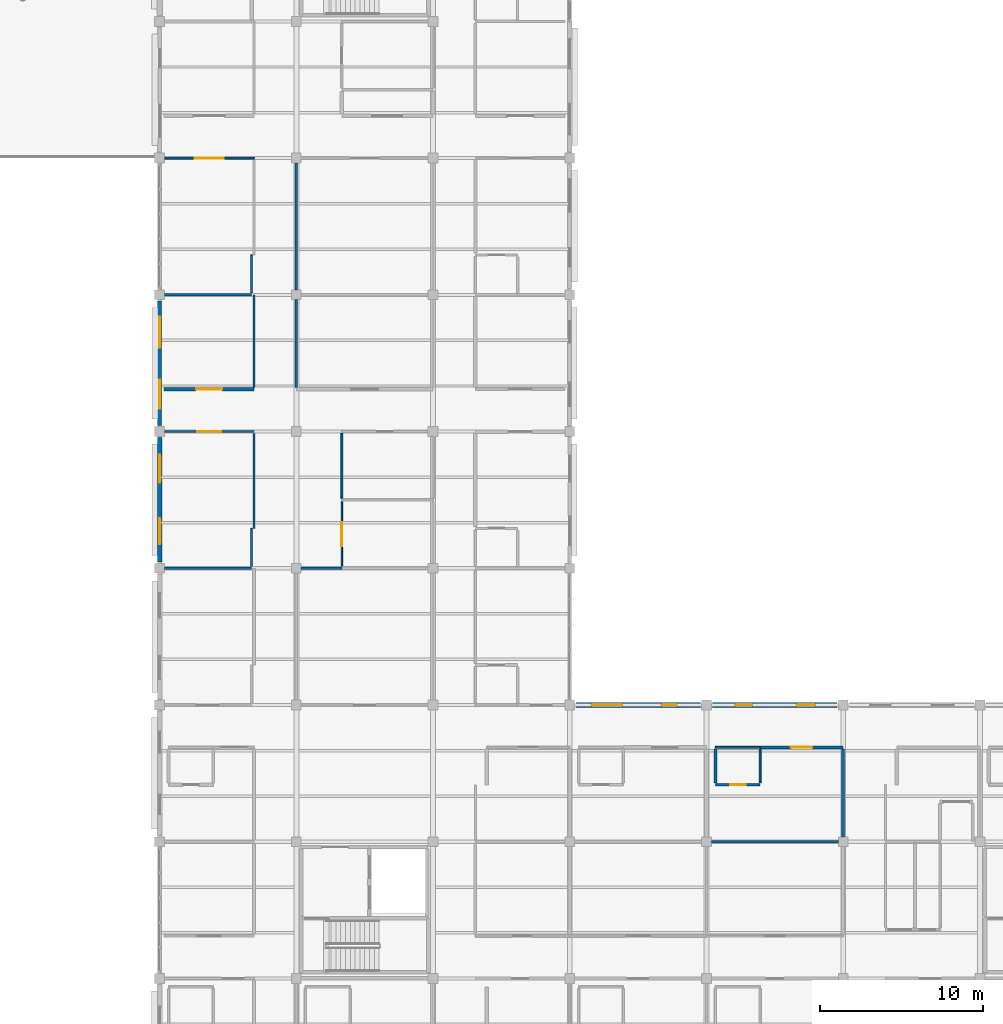
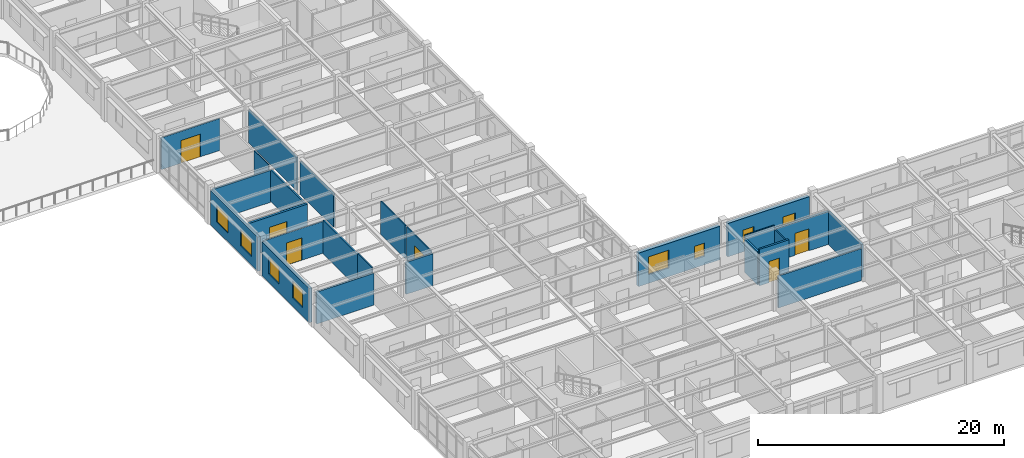
# One storey, part 53 of 86: 25 walls, 8 windows, 6 doors, 14 openings.
"""IFC4 building model written with IfcOpenShell, lengths in metres."""

from ifc_helpers import new_model, si_unit, direction, frame, frame_2d, origin, place, context, subcontext, project, spatial, rectangle, extrude, material, layer, layer_set, type_object, element, fill, save


model = new_model("IFC4")

# Units and contexts
model_context = context("Model", 3, precision=1e-05, world=origin(), true_north=direction((0.0, 1.0)))
body_context = subcontext(model_context, "Body", "Model", "MODEL_VIEW")
ifc_project = project(units=[si_unit("LENGTHUNIT", "METRE"), si_unit("AREAUNIT", "SQUARE_METRE"), si_unit("VOLUMEUNIT", "CUBIC_METRE"), si_unit("PLANEANGLEUNIT", "RADIAN"), si_unit("MASSUNIT", "GRAM", prefix="KILO")], contexts=[model_context])

# Site, building, storey
site_placement = place(None, origin())
site = spatial("IfcSite", under=ifc_project, at=site_placement, CompositionType="ELEMENT")
building_placement = place(site_placement, origin())
building = spatial("IfcBuilding", under=site, at=building_placement, Name="Bramfleet General Hospital", CompositionType="ELEMENT")
storey_placement = place(building_placement, frame((0.0, 0.0, 18.60009765625)))
storey = spatial("IfcBuildingStorey", under=building, at=storey_placement, Name="L04", CompositionType="ELEMENT", Elevation=18.60009765625)

# Wall, openings, windows
ifc_material_1 = material(Name="Precast concrete C40/50", Category="concrete")
ifc_layer_1 = layer(ifc_material_1, 0.3349609375, Name="WT-EW-03")
ifc_layer_set_1 = layer_set([ifc_layer_1], Name="Precast concrete C40/50")
wall_type_1 = type_object("IfcWallType", Name="WT-EW-03", PredefinedType="SOLIDWALL", material=ifc_layer_set_1)
wall_1_placement = place(storey_placement, frame((117.97509765625, 25.199951171875, 0.0), z_axis=(0.0, 0.0, 1.0), x_axis=(1.0, 0.0, 0.0)))
wall_1 = element("IfcWall", 1, at=wall_1_placement, inside=storey, type_object=wall_type_1, Name="L04 Exterior Wall 309", PredefinedType="SOLIDWALL", context=body_context, shape_type="SweptSolid", body=[
    extrude(rectangle(XDim=7.64990234375, YDim=0.3349609375, at=frame_2d((3.824951171875, 0.0))), origin(), (0.0, 0.0, 1.0), 3.309814453125),
])
opening_1_placement = place(wall_1_placement, frame((0.96240234375, 0.0, 0.85009765625)))
opening_1 = element("IfcOpeningElement", 2, at=opening_1_placement, cuts=wall_1, Name="Opening W-46", PredefinedType="OPENING", context=body_context, shape_type="SweptSolid", body=[
    extrude(rectangle(XDim=1.89990234375, YDim=1.780029296875, at=frame_2d((0.949951171875, 0.89013671875))), frame((0.0, 0.177490234375, 0.0), z_axis=(0.0, -1.0, 0.0), x_axis=(1.0, 0.0, 0.0)), (0.0, 0.0, 1.0), 0.35498046875),
])
opening_2_placement = place(wall_1_placement, frame((5.262451171875, 0.0, 0.85009765625)))
opening_2 = element("IfcOpeningElement", 3, at=opening_2_placement, cuts=wall_1, Name="Opening W-01", PredefinedType="OPENING", context=body_context, shape_type="SweptSolid", body=[
    extrude(rectangle(XDim=0.949951171875, YDim=1.300048828125, at=frame_2d((0.47509765625, 0.64990234375))), frame((0.0, 0.177490234375, 0.0), z_axis=(0.0, -1.0, 0.0), x_axis=(1.0, 0.0, 0.0)), (0.0, 0.0, 1.0), 0.35498046875),
])
ifc_material_2 = material(Name="Anodised aluminium and low-E triple glazing", Category="aluminium")
window_type_1 = type_object("IfcWindowType", Name="WIN-W-01", PartitioningType="SINGLE_PANEL", PredefinedType="WINDOW", material=ifc_material_2)
window_1_placement = place(opening_2_placement, origin())
window_1 = element("IfcWindow", 4, at=window_1_placement, inside=storey, type_object=window_type_1, Name="L04 Facade Window WIN-L04-309-2", OverallHeight=1.300048828125, OverallWidth=0.949951171875, PartitioningType="SINGLE_PANEL", PredefinedType="WINDOW", context=body_context, shape_type="SweptSolid", body=[
    extrude(rectangle(XDim=0.949951171875, YDim=1.300048828125, at=frame_2d((0.47509765625, 0.64990234375))), frame((0.0, 0.030029296875, 0.0), z_axis=(0.0, -1.0, 0.0), x_axis=(1.0, 0.0, 0.0)), (0.0, 0.0, 1.0), 0.06005859375),
])
fill(opening_2, window_1)
window_type_2 = type_object("IfcWindowType", Name="WIN-W-46", PartitioningType="SINGLE_PANEL", PredefinedType="WINDOW", material=ifc_material_2)
window_2_placement = place(opening_1_placement, origin())
window_2 = element("IfcWindow", 5, at=window_2_placement, inside=storey, type_object=window_type_2, Name="L04 Facade Window WIN-L04-309-1", OverallHeight=1.780029296875, OverallWidth=1.89990234375, PartitioningType="SINGLE_PANEL", PredefinedType="WINDOW", context=body_context, shape_type="SweptSolid", body=[
    extrude(rectangle(XDim=1.89990234375, YDim=1.780029296875, at=frame_2d((0.949951171875, 0.89013671875))), frame((0.0, 0.030029296875, 0.0), z_axis=(0.0, -1.0, 0.0), x_axis=(1.0, 0.0, 0.0)), (0.0, 0.0, 1.0), 0.06005859375),
])
fill(opening_1, window_2)

ifc_layer_2 = layer(ifc_material_1, 0.31494140625, Name="WT-EW-04")
ifc_layer_set_2 = layer_set([ifc_layer_2], Name="Precast concrete C40/50")
wall_type_2 = type_object("IfcWallType", Name="WT-EW-04", PredefinedType="SOLIDWALL", material=ifc_layer_set_2)
wall_2_placement = place(storey_placement, frame((126.375, 25.199951171875, 0.0), z_axis=(0.0, 0.0, 1.0), x_axis=(1.0, 0.0, 0.0)))
wall_2 = element("IfcWall", 6, at=wall_2_placement, inside=storey, type_object=wall_type_2, Name="L04 Exterior Wall 310", PredefinedType="SOLIDWALL", context=body_context, shape_type="SweptSolid", body=[
    extrude(rectangle(XDim=7.64990234375, YDim=0.31494140625, at=frame_2d((3.824951171875, 0.0))), origin(), (0.0, 0.0, 1.0), 3.309814453125),
])
opening_3_placement = place(wall_2_placement, frame((1.387451171875, 0.0, 0.85009765625)))
opening_3 = element("IfcOpeningElement", 7, at=opening_3_placement, cuts=wall_2, Name="Opening W-02", PredefinedType="OPENING", context=body_context, shape_type="SweptSolid", body=[
    extrude(rectangle(XDim=1.050048828125, YDim=1.300048828125, at=frame_2d((0.52490234375, 0.64990234375))), frame((0.0, 0.16748046875, 0.0), z_axis=(0.0, -1.0, 0.0), x_axis=(1.0, 0.0, 0.0)), (0.0, 0.0, 1.0), 0.3349609375),
])
opening_4_placement = place(wall_2_placement, frame((5.16259765625, 0.0, 0.85009765625)))
opening_4 = element("IfcOpeningElement", 8, at=opening_4_placement, cuts=wall_2, Name="Opening W-03", PredefinedType="OPENING", context=body_context, shape_type="SweptSolid", body=[
    extrude(rectangle(XDim=1.14990234375, YDim=1.300048828125, at=frame_2d((0.574951171875, 0.64990234375))), frame((0.0, 0.16748046875, 0.0), z_axis=(0.0, -1.0, 0.0), x_axis=(1.0, 0.0, 0.0)), (0.0, 0.0, 1.0), 0.3349609375),
])
window_type_3 = type_object("IfcWindowType", Name="WIN-W-02", PartitioningType="SINGLE_PANEL", PredefinedType="WINDOW", material=ifc_material_2)
window_3_placement = place(opening_3_placement, origin())
window_3 = element("IfcWindow", 9, at=window_3_placement, inside=storey, type_object=window_type_3, Name="L04 Facade Window WIN-L04-310-1", OverallHeight=1.300048828125, OverallWidth=1.050048828125, PartitioningType="SINGLE_PANEL", PredefinedType="WINDOW", context=body_context, shape_type="SweptSolid", body=[
    extrude(rectangle(XDim=1.050048828125, YDim=1.300048828125, at=frame_2d((0.52490234375, 0.64990234375))), frame((0.0, 0.030029296875, 0.0), z_axis=(0.0, -1.0, 0.0), x_axis=(1.0, 0.0, 0.0)), (0.0, 0.0, 1.0), 0.06005859375),
])
fill(opening_3, window_3)
window_type_4 = type_object("IfcWindowType", Name="WIN-W-03", PartitioningType="SINGLE_PANEL", PredefinedType="WINDOW", material=ifc_material_2)
window_4_placement = place(opening_4_placement, origin())
window_4 = element("IfcWindow", 10, at=window_4_placement, inside=storey, type_object=window_type_4, Name="L04 Facade Window WIN-L04-310-2", OverallHeight=1.300048828125, OverallWidth=1.14990234375, PartitioningType="SINGLE_PANEL", PredefinedType="WINDOW", context=body_context, shape_type="SweptSolid", body=[
    extrude(rectangle(XDim=1.14990234375, YDim=1.300048828125, at=frame_2d((0.574951171875, 0.64990234375))), frame((0.0, 0.030029296875, 0.0), z_axis=(0.0, -1.0, 0.0), x_axis=(1.0, 0.0, 0.0)), (0.0, 0.0, 1.0), 0.06005859375),
])
fill(opening_4, window_4)

ifc_layer_3 = layer(ifc_material_1, 0.264892578125, Name="WT-EW-07")
ifc_layer_set_3 = layer_set([ifc_layer_3], Name="Precast concrete C40/50")
wall_type_3 = type_object("IfcWallType", Name="WT-EW-07", PredefinedType="SOLIDWALL", material=ifc_layer_set_3)
wall_3_placement = place(storey_placement, frame((92.39990234375, 33.97509765625, 0.0), z_axis=(0.0, 0.0, 1.0), x_axis=(0.0, 1.0, 0.0)))
wall_3 = element("IfcWall", 11, at=wall_3_placement, inside=storey, type_object=wall_type_3, Name="L04 Exterior Wall 327", PredefinedType="SOLIDWALL", context=body_context, shape_type="SweptSolid", body=[
    extrude(rectangle(XDim=7.64990234375, YDim=0.264892578125, at=frame_2d((3.824951171875, 0.0))), origin(), (0.0, 0.0, 1.0), 3.3798828125),
])
opening_5_placement = place(wall_3_placement, frame((1.112548828125, 0.0, 0.85009765625)))
opening_5 = element("IfcOpeningElement", 12, at=opening_5_placement, cuts=wall_3, Name="Opening W-36", PredefinedType="OPENING", context=body_context, shape_type="SweptSolid", body=[
    extrude(rectangle(XDim=1.60009765625, YDim=1.659912109375, at=frame_2d((0.800048828125, 0.830078125))), frame((0.0, 0.142333984375, 0.0), z_axis=(0.0, -1.0, 0.0), x_axis=(1.0, 0.0, 0.0)), (0.0, 0.0, 1.0), 0.284912109375),
])
opening_6_placement = place(wall_3_placement, frame((4.887451171875, 0.0, 0.85009765625)))
opening_6 = element("IfcOpeningElement", 13, at=opening_6_placement, cuts=wall_3, Name="Opening W-37", PredefinedType="OPENING", context=body_context, shape_type="SweptSolid", body=[
    extrude(rectangle(XDim=1.699951171875, YDim=1.659912109375, at=frame_2d((0.85009765625, 0.830078125))), frame((0.0, 0.142333984375, 0.0), z_axis=(0.0, -1.0, 0.0), x_axis=(1.0, 0.0, 0.0)), (0.0, 0.0, 1.0), 0.284912109375),
])
window_type_5 = type_object("IfcWindowType", Name="WIN-W-36", PartitioningType="SINGLE_PANEL", PredefinedType="WINDOW", material=ifc_material_2)
window_5_placement = place(opening_5_placement, origin())
window_5 = element("IfcWindow", 14, at=window_5_placement, inside=storey, type_object=window_type_5, Name="L04 Facade Window WIN-L04-327-1", OverallHeight=1.659912109375, OverallWidth=1.60009765625, PartitioningType="SINGLE_PANEL", PredefinedType="WINDOW", context=body_context, shape_type="SweptSolid", body=[
    extrude(rectangle(XDim=1.60009765625, YDim=1.659912109375, at=frame_2d((0.800048828125, 0.830078125))), frame((0.0, 0.030029296875, 0.0), z_axis=(0.0, -1.0, 0.0), x_axis=(1.0, 0.0, 0.0)), (0.0, 0.0, 1.0), 0.06005859375),
])
fill(opening_5, window_5)
window_type_6 = type_object("IfcWindowType", Name="WIN-W-37", PartitioningType="SINGLE_PANEL", PredefinedType="WINDOW", material=ifc_material_2)
window_6_placement = place(opening_6_placement, origin())
window_6 = element("IfcWindow", 15, at=window_6_placement, inside=storey, type_object=window_type_6, Name="L04 Facade Window WIN-L04-327-2", OverallHeight=1.659912109375, OverallWidth=1.699951171875, PartitioningType="SINGLE_PANEL", PredefinedType="WINDOW", context=body_context, shape_type="SweptSolid", body=[
    extrude(rectangle(XDim=1.699951171875, YDim=1.659912109375, at=frame_2d((0.85009765625, 0.830078125))), frame((0.0, 0.030029296875, 0.0), z_axis=(0.0, -1.0, 0.0), x_axis=(1.0, 0.0, 0.0)), (0.0, 0.0, 1.0), 0.06005859375),
])
fill(opening_6, window_6)

ifc_layer_4 = layer(ifc_material_1, 0.25, Name="WT-EW-08")
ifc_layer_set_4 = layer_set([ifc_layer_4], Name="Precast concrete C40/50")
wall_type_4 = type_object("IfcWallType", Name="WT-EW-08", PredefinedType="SOLIDWALL", material=ifc_layer_set_4)
wall_4_placement = place(storey_placement, frame((92.39990234375, 42.375, 0.0), z_axis=(0.0, 0.0, 1.0), x_axis=(0.0, 1.0, 0.0)))
wall_4 = element("IfcWall", 16, at=wall_4_placement, inside=storey, type_object=wall_type_4, Name="L04 Exterior Wall 328", PredefinedType="SOLIDWALL", context=body_context, shape_type="SweptSolid", body=[
    extrude(rectangle(XDim=7.64990234375, YDim=0.25, at=frame_2d((3.824951171875, 0.0))), origin(), (0.0, 0.0, 1.0), 3.3798828125),
])
opening_7_placement = place(wall_4_placement, frame((1.012451171875, 0.0, 0.85009765625)))
opening_7 = element("IfcOpeningElement", 17, at=opening_7_placement, cuts=wall_4, Name="Opening W-38", PredefinedType="OPENING", context=body_context, shape_type="SweptSolid", body=[
    extrude(rectangle(XDim=1.800048828125, YDim=1.659912109375, at=frame_2d((0.89990234375, 0.830078125))), frame((0.0, 0.135009765625, 0.0), z_axis=(0.0, -1.0, 0.0), x_axis=(1.0, 0.0, 0.0)), (0.0, 0.0, 1.0), 0.27001953125),
])
opening_8_placement = place(wall_4_placement, frame((4.78759765625, 0.0, 0.85009765625)))
opening_8 = element("IfcOpeningElement", 18, at=opening_8_placement, cuts=wall_4, Name="Opening W-39", PredefinedType="OPENING", context=body_context, shape_type="SweptSolid", body=[
    extrude(rectangle(XDim=1.89990234375, YDim=1.659912109375, at=frame_2d((0.949951171875, 0.830078125))), frame((0.0, 0.135009765625, 0.0), z_axis=(0.0, -1.0, 0.0), x_axis=(1.0, 0.0, 0.0)), (0.0, 0.0, 1.0), 0.27001953125),
])
window_type_7 = type_object("IfcWindowType", Name="WIN-W-38", PartitioningType="SINGLE_PANEL", PredefinedType="WINDOW", material=ifc_material_2)
window_7_placement = place(opening_7_placement, origin())
window_7 = element("IfcWindow", 19, at=window_7_placement, inside=storey, type_object=window_type_7, Name="L04 Facade Window WIN-L04-328-1", OverallHeight=1.659912109375, OverallWidth=1.800048828125, PartitioningType="SINGLE_PANEL", PredefinedType="WINDOW", context=body_context, shape_type="SweptSolid", body=[
    extrude(rectangle(XDim=1.800048828125, YDim=1.659912109375, at=frame_2d((0.89990234375, 0.830078125))), frame((0.0, 0.030029296875, 0.0), z_axis=(0.0, -1.0, 0.0), x_axis=(1.0, 0.0, 0.0)), (0.0, 0.0, 1.0), 0.06005859375),
])
fill(opening_7, window_7)
window_type_8 = type_object("IfcWindowType", Name="WIN-W-39", PartitioningType="SINGLE_PANEL", PredefinedType="WINDOW", material=ifc_material_2)
window_8_placement = place(opening_8_placement, origin())
window_8 = element("IfcWindow", 20, at=window_8_placement, inside=storey, type_object=window_type_8, Name="L04 Facade Window WIN-L04-328-2", OverallHeight=1.659912109375, OverallWidth=1.89990234375, PartitioningType="SINGLE_PANEL", PredefinedType="WINDOW", context=body_context, shape_type="SweptSolid", body=[
    extrude(rectangle(XDim=1.89990234375, YDim=1.659912109375, at=frame_2d((0.949951171875, 0.830078125))), frame((0.0, 0.030029296875, 0.0), z_axis=(0.0, -1.0, 0.0), x_axis=(1.0, 0.0, 0.0)), (0.0, 0.0, 1.0), 0.06005859375),
])
fill(opening_8, window_8)

# Wall, opening, door
ifc_material_3 = material(Name="Concrete C35/45", Category="concrete")
ifc_layer_5 = layer(ifc_material_3, 0.205078125, Name="WT-IW-02")
ifc_layer_set_5 = layer_set([ifc_layer_5], Name="Concrete C35/45")
wall_type_5 = type_object("IfcWallType", Name="WT-IW-02", PredefinedType="PARTITIONING", material=ifc_layer_set_5)
wall_5_placement = place(storey_placement, frame((92.679931640625, 44.60009765625, 0.0), z_axis=(0.0, 0.0, 1.0), x_axis=(1.0, 0.0, 0.0)))
wall_5 = element("IfcWall", 21, at=wall_5_placement, inside=storey, type_object=wall_type_5, Name="L04 Interior Partition IW-L04-3146", PredefinedType="PARTITIONING", context=body_context, shape_type="SweptSolid", body=[
    extrude(rectangle(XDim=5.52001953125, YDim=0.205078125, at=frame_2d((2.760009765625, 0.0))), origin(), (0.0, 0.0, 1.0), 3.309814453125),
])
opening_9_placement = place(wall_5_placement, frame((1.9599609375, 0.0, 0.0)))
opening_9 = element("IfcOpeningElement", 22, at=opening_9_placement, cuts=wall_5, Name="Opening D1252", PredefinedType="OPENING", context=body_context, shape_type="SweptSolid", body=[
    extrude(rectangle(XDim=1.60009765625, YDim=2.25, at=frame_2d((0.800048828125, 1.125))), frame((0.0, 0.112548828125, 0.0), z_axis=(0.0, -1.0, 0.0), x_axis=(1.0, 0.0, 0.0)), (0.0, 0.0, 1.0), 0.22509765625),
])
ifc_material_4 = material(Name="Stainless steel and acoustic timber leaf", Category="steel")
door_type_1 = type_object("IfcDoorType", Name="DR-D-04", OperationType="NOTDEFINED", PredefinedType="DOOR", material=ifc_material_4)
door_1_placement = place(opening_9_placement, origin())
door_1 = element("IfcDoor", 23, at=door_1_placement, inside=storey, type_object=door_type_1, Name="Surgical Inpatient Ward Bedroom L04-1105 Door D1252", OperationType="DOUBLE_SWING_LEFT", OverallHeight=2.25, OverallWidth=1.60009765625, PredefinedType="DOOR", context=body_context, shape_type="SweptSolid", body=[
    extrude(rectangle(XDim=1.60009765625, YDim=2.25, at=frame_2d((0.800048828125, 1.125))), frame((0.0, 0.02490234375, 0.0), z_axis=(0.0, -1.0, 0.0), x_axis=(1.0, 0.0, 0.0)), (0.0, 0.0, 1.0), 0.050048828125),
])
fill(opening_9, door_1)

ifc_layer_6 = layer(ifc_material_3, 0.18994140625, Name="WT-IW-03")
ifc_layer_set_6 = layer_set([ifc_layer_6], Name="Concrete C35/45")
wall_type_6 = type_object("IfcWallType", Name="WT-IW-03", PredefinedType="PARTITIONING", material=ifc_layer_set_6)
wall_6_placement = place(storey_placement, frame((129.300048828125, 22.60009765625, 0.0), z_axis=(0.0, 0.0, 1.0), x_axis=(1.0, 0.0, 0.0)))
wall_6 = element("IfcWall", 24, at=wall_6_placement, inside=storey, type_object=wall_type_6, Name="L04 Interior Partition IW-L04-3123", PredefinedType="PARTITIONING", context=body_context, shape_type="SweptSolid", body=[
    extrude(rectangle(XDim=5.099853515625, YDim=0.18994140625, at=frame_2d((2.5498046875, 0.0))), origin(), (0.0, 0.0, 1.0), 3.260009765625),
])
opening_10_placement = place(wall_6_placement, frame((1.889892578125, 0.0, 0.0)))
opening_10 = element("IfcOpeningElement", 25, at=opening_10_placement, cuts=wall_6, Name="Opening D1304", PredefinedType="OPENING", context=body_context, shape_type="SweptSolid", body=[
    extrude(rectangle(XDim=1.320068359375, YDim=2.179931640625, at=frame_2d((0.66015625, 1.08984375))), frame((0.0, 0.10498046875, 0.0), z_axis=(0.0, -1.0, 0.0), x_axis=(1.0, 0.0, 0.0)), (0.0, 0.0, 1.0), 0.2099609375),
])
door_type_2 = type_object("IfcDoorType", Name="DR-D-24", OperationType="NOTDEFINED", PredefinedType="DOOR", material=ifc_material_4)
door_2_placement = place(opening_10_placement, origin())
door_2 = element("IfcDoor", 26, at=door_2_placement, inside=storey, type_object=door_type_2, Name="Surgical Inpatient Ward Bedroom L04-1502 Door D1304", OperationType="SINGLE_SWING_LEFT", OverallHeight=2.179931640625, OverallWidth=1.320068359375, PredefinedType="DOOR", context=body_context, shape_type="SweptSolid", body=[
    extrude(rectangle(XDim=1.320068359375, YDim=2.179931640625, at=frame_2d((0.66015625, 1.08984375))), frame((0.0, 0.02490234375, 0.0), z_axis=(0.0, -1.0, 0.0), x_axis=(1.0, 0.0, 0.0)), (0.0, 0.0, 1.0), 0.050048828125),
])
fill(opening_10, door_2)

# Walls
ifc_layer_7 = layer(ifc_material_3, 0.179931640625, Name="WT-IW-04")
ifc_layer_set_7 = layer_set([ifc_layer_7], Name="Concrete C35/45")
wall_type_7 = type_object("IfcWallType", Name="WT-IW-04", PredefinedType="PARTITIONING", material=ifc_layer_set_7)
wall_7_placement = place(storey_placement, frame((92.695068359375, 33.60009765625, 0.0), z_axis=(0.0, 0.0, 1.0), x_axis=(1.0, 0.0, 0.0)))
element("IfcWall", 27, at=wall_7_placement, inside=storey, type_object=wall_type_7, Name="L04 Interior Partition IW-L04-3136", PredefinedType="PARTITIONING", context=body_context, shape_type="SweptSolid", body=[
    extrude(rectangle(XDim=5.35498046875, YDim=0.179931640625, at=frame_2d((2.677490234375, 0.0))), origin(), (0.0, 0.0, 1.0), 3.159912109375),
])
wall_8_placement = place(storey_placement, frame((134.39990234375, 17.094970703125, 0.0), z_axis=(0.0, 0.0, 1.0), x_axis=(0.0, 1.0, 0.0)))
element("IfcWall", 28, at=wall_8_placement, inside=storey, type_object=wall_type_7, Name="L04 Interior Partition IW-L04-3436", PredefinedType="PARTITIONING", context=body_context, shape_type="SweptSolid", body=[
    extrude(rectangle(XDim=5.39013671875, YDim=0.179931640625, at=frame_2d((2.695068359375, 0.0))), origin(), (0.0, 0.0, 1.0), 3.260009765625),
])

# Wall, opening, door
ifc_material_5 = material(Name="Gypsum plasterboard on acoustic steel studs", Category="steel")
ifc_layer_8 = layer(ifc_material_5, 0.169921875, Name="WT-IW-05")
ifc_layer_set_8 = layer_set([ifc_layer_8], Name="Gypsum plasterboard on acoustic steel studs")
wall_type_8 = type_object("IfcWallType", Name="WT-IW-05", PredefinedType="PARTITIONING", material=ifc_layer_set_8)
wall_9_placement = place(storey_placement, frame((126.550048828125, 20.300048828125, 0.0), z_axis=(0.0, 0.0, 1.0), x_axis=(1.0, 0.0, 0.0)))
wall_9 = element("IfcWall", 29, at=wall_9_placement, inside=storey, type_object=wall_type_8, Name="L04 Interior Partition IW-L04-3113", PredefinedType="PARTITIONING", context=body_context, shape_type="SweptSolid", body=[
    extrude(rectangle(XDim=2.75, YDim=0.169921875, at=frame_2d((1.375, 0.0))), origin(), (0.0, 0.0, 1.0), 3.60986328125),
])
opening_11_placement = place(wall_9_placement, frame((0.89990234375, 0.0, 0.0)))
opening_11 = element("IfcOpeningElement", 30, at=opening_11_placement, cuts=wall_9, Name="Opening D1305", PredefinedType="OPENING", context=body_context, shape_type="SweptSolid", body=[
    extrude(rectangle(XDim=0.949951171875, YDim=2.10009765625, at=frame_2d((0.47509765625, 1.050048828125))), frame((0.0, 0.094970703125, 0.0), z_axis=(0.0, -1.0, 0.0), x_axis=(1.0, 0.0, 0.0)), (0.0, 0.0, 1.0), 0.18994140625),
])
door_type_3 = type_object("IfcDoorType", Name="DR-D-10", OperationType="NOTDEFINED", PredefinedType="DOOR", material=ifc_material_4)
door_3_placement = place(opening_11_placement, origin())
door_3 = element("IfcDoor", 31, at=door_3_placement, inside=storey, type_object=door_type_3, Name="En-Suite Bathroom L04-1502 Door D1305", OperationType="SINGLE_SWING_LEFT", OverallHeight=2.10009765625, OverallWidth=0.949951171875, PredefinedType="DOOR", context=body_context, shape_type="SweptSolid", body=[
    extrude(rectangle(XDim=0.949951171875, YDim=2.10009765625, at=frame_2d((0.47509765625, 1.050048828125))), frame((0.0, 0.02490234375, 0.0), z_axis=(0.0, -1.0, 0.0), x_axis=(1.0, 0.0, 0.0)), (0.0, 0.0, 1.0), 0.050048828125),
])
fill(opening_11, door_3)

# Walls
wall_10_placement = place(storey_placement, frame((101.094970703125, 33.60009765625, 0.0), z_axis=(0.0, 0.0, 1.0), x_axis=(1.0, 0.0, 0.0)))
element("IfcWall", 32, at=wall_10_placement, inside=storey, type_object=wall_type_8, Name="L04 Interior Partition IW-L04-3137", PredefinedType="PARTITIONING", context=body_context, shape_type="SweptSolid", body=[
    extrude(rectangle(XDim=2.505126953125, YDim=0.169921875, at=frame_2d((1.25244140625, 0.0))), origin(), (0.0, 0.0, 1.0), 3.159912109375),
])
wall_11_placement = place(storey_placement, frame((92.695068359375, 50.39990234375, 0.0), z_axis=(0.0, 0.0, 1.0), x_axis=(1.0, 0.0, 0.0)))
element("IfcWall", 33, at=wall_11_placement, inside=storey, type_object=wall_type_8, Name="L04 Interior Partition IW-L04-3149", PredefinedType="PARTITIONING", context=body_context, shape_type="SweptSolid", body=[
    extrude(rectangle(XDim=5.35498046875, YDim=0.169921875, at=frame_2d((2.677490234375, 0.0))), origin(), (0.0, 0.0, 1.0), 3.159912109375),
])
wall_12_placement = place(storey_placement, frame((126.550048828125, 20.4150390625, 0.0), z_axis=(0.0, 0.0, 1.0), x_axis=(0.0, 1.0, 0.0)))
element("IfcWall", 34, at=wall_12_placement, inside=storey, type_object=wall_type_8, Name="L04 Interior Partition IW-L04-3425", PredefinedType="PARTITIONING", context=body_context, shape_type="SweptSolid", body=[
    extrude(rectangle(XDim=2.070068359375, YDim=0.169921875, at=frame_2d((1.03515625, 0.0))), origin(), (0.0, 0.0, 1.0), 3.309814453125),
])
ifc_layer_9 = layer(ifc_material_5, 0.14990234375, Name="WT-IW-07")
ifc_layer_set_9 = layer_set([ifc_layer_9], Name="Gypsum plasterboard on acoustic steel studs")
wall_type_9 = type_object("IfcWallType", Name="WT-IW-07", PredefinedType="PARTITIONING", material=ifc_layer_set_9)
wall_13_placement = place(storey_placement, frame((98.199951171875, 36.050048828125, 0.0), z_axis=(0.0, 0.0, 1.0), x_axis=(0.0, 1.0, 0.0)))
element("IfcWall", 35, at=wall_13_placement, inside=storey, type_object=wall_type_9, Name="L04 Interior Partition IW-L04-3343", PredefinedType="PARTITIONING", context=body_context, shape_type="SweptSolid", body=[
    extrude(rectangle(XDim=5.8349609375, YDim=0.14990234375, at=frame_2d((2.91748046875, 0.0))), origin(), (0.0, 0.0, 1.0), 3.309814453125),
])
wall_14_placement = place(storey_placement, frame((100.800048828125, 44.715087890625, 0.0), z_axis=(0.0, 0.0, 1.0), x_axis=(0.0, 1.0, 0.0)))
element("IfcWall", 36, at=wall_14_placement, inside=storey, type_object=wall_type_9, Name="L04 Interior Partition IW-L04-3355", PredefinedType="PARTITIONING", context=body_context, shape_type="SweptSolid", body=[
    extrude(rectangle(XDim=5.389892578125, YDim=0.14990234375, at=frame_2d((2.69482421875, 0.0))), origin(), (0.0, 0.0, 1.0), 3.260009765625),
])
ifc_layer_10 = layer(ifc_material_5, 0.139892578125, Name="WT-IW-08")
ifc_layer_set_10 = layer_set([ifc_layer_10], Name="Gypsum plasterboard on acoustic steel studs")
wall_type_10 = type_object("IfcWallType", Name="WT-IW-08", PredefinedType="PARTITIONING", material=ifc_layer_set_10)
wall_15_placement = place(storey_placement, frame((126.294921875, 16.800048828125, 0.0), z_axis=(0.0, 0.0, 1.0), x_axis=(1.0, 0.0, 0.0)))
element("IfcWall", 37, at=wall_15_placement, inside=storey, type_object=wall_type_10, Name="L04 Interior Partition IW-L04-3104", PredefinedType="PARTITIONING", context=body_context, shape_type="SweptSolid", body=[
    extrude(rectangle(XDim=7.81005859375, YDim=0.139892578125, at=frame_2d((3.905029296875, 0.0))), origin(), (0.0, 0.0, 1.0), 3.159912109375),
])
wall_16_placement = place(storey_placement, frame((98.199951171875, 44.715087890625, 0.0), z_axis=(0.0, 0.0, 1.0), x_axis=(0.0, 1.0, 0.0)))
element("IfcWall", 38, at=wall_16_placement, inside=storey, type_object=wall_type_10, Name="L04 Interior Partition IW-L04-3344", PredefinedType="PARTITIONING", context=body_context, shape_type="SweptSolid", body=[
    extrude(rectangle(XDim=5.684814453125, YDim=0.139892578125, at=frame_2d((2.84228515625, 0.0))), origin(), (0.0, 0.0, 1.0), 3.159912109375),
])
wall_17_placement = place(storey_placement, frame((100.800048828125, 50.695068359375, 0.0), z_axis=(0.0, 0.0, 1.0), x_axis=(0.0, 1.0, 0.0)))
element("IfcWall", 39, at=wall_17_placement, inside=storey, type_object=wall_type_10, Name="L04 Interior Partition IW-L04-3356", PredefinedType="PARTITIONING", context=body_context, shape_type="SweptSolid", body=[
    extrude(rectangle(XDim=7.809814453125, YDim=0.139892578125, at=frame_2d((3.90478515625, 0.0))), origin(), (0.0, 0.0, 1.0), 3.260009765625),
])
ifc_layer_11 = layer(ifc_material_5, 0.1201171875, Name="WT-IW-10")
ifc_layer_set_11 = layer_set([ifc_layer_11], Name="Gypsum plasterboard on acoustic steel studs")
wall_type_11 = type_object("IfcWallType", Name="WT-IW-10", PredefinedType="PARTITIONING", material=ifc_layer_set_11)
wall_18_placement = place(storey_placement, frame((126.550048828125, 22.60009765625, 0.0), z_axis=(0.0, 0.0, 1.0), x_axis=(1.0, 0.0, 0.0)))
element("IfcWall", 40, at=wall_18_placement, inside=storey, type_object=wall_type_11, Name="L04 Interior Partition IW-L04-3122", PredefinedType="PARTITIONING", context=body_context, shape_type="SweptSolid", body=[
    extrude(rectangle(XDim=2.75, YDim=0.1201171875, at=frame_2d((1.375, 0.0))), origin(), (0.0, 0.0, 1.0), 3.60986328125),
])

# Wall, opening, door
wall_19_placement = place(storey_placement, frame((92.695068359375, 58.800048828125, 0.0), z_axis=(0.0, 0.0, 1.0), x_axis=(1.0, 0.0, 0.0)))
wall_19 = element("IfcWall", 41, at=wall_19_placement, inside=storey, type_object=wall_type_11, Name="L04 Interior Partition IW-L04-3154", PredefinedType="PARTITIONING", context=body_context, shape_type="SweptSolid", body=[
    extrude(rectangle(XDim=5.5048828125, YDim=0.1201171875, at=frame_2d((2.75244140625, 0.0))), origin(), (0.0, 0.0, 1.0), 3.159912109375),
])
opening_12_placement = place(wall_19_placement, frame((1.8525390625, 0.0, 0.0)))
opening_12 = element("IfcOpeningElement", 42, at=opening_12_placement, cuts=wall_19, Name="Opening D1253", PredefinedType="OPENING", context=body_context, shape_type="SweptSolid", body=[
    extrude(rectangle(XDim=1.800048828125, YDim=2.25, at=frame_2d((0.89990234375, 1.125))), frame((0.0, 0.070068359375, 0.0), z_axis=(0.0, -1.0, 0.0), x_axis=(1.0, 0.0, 0.0)), (0.0, 0.0, 1.0), 0.14013671875),
])
door_type_4 = type_object("IfcDoorType", Name="DR-D-05", OperationType="NOTDEFINED", PredefinedType="DOOR", material=ifc_material_4)
door_4_placement = place(opening_12_placement, origin())
door_4 = element("IfcDoor", 43, at=door_4_placement, inside=storey, type_object=door_type_4, Name="Surgical Inpatient Ward Bedroom L04-1106 Door D1253", OperationType="DOUBLE_SWING_RIGHT", OverallHeight=2.25, OverallWidth=1.800048828125, PredefinedType="DOOR", context=body_context, shape_type="SweptSolid", body=[
    extrude(rectangle(XDim=1.800048828125, YDim=2.25, at=frame_2d((0.89990234375, 1.125))), frame((0.0, 0.02490234375, 0.0), z_axis=(0.0, -1.0, 0.0), x_axis=(1.0, 0.0, 0.0)), (0.0, 0.0, 1.0), 0.050048828125),
])
fill(opening_12, door_4)

# Walls
wall_20_placement = place(storey_placement, frame((103.60009765625, 37.9150390625, 0.0), z_axis=(0.0, 0.0, 1.0), x_axis=(0.0, 1.0, 0.0)))
element("IfcWall", 44, at=wall_20_placement, inside=storey, type_object=wall_type_11, Name="L04 Interior Partition IW-L04-3361", PredefinedType="PARTITIONING", context=body_context, shape_type="SweptSolid", body=[
    extrude(rectangle(XDim=3.969970703125, YDim=0.1201171875, at=frame_2d((1.98486328125, 0.0))), origin(), (0.0, 0.0, 1.0), 3.309814453125),
])
wall_21_placement = place(storey_placement, frame((129.300048828125, 20.4150390625, 0.0), z_axis=(0.0, 0.0, 1.0), x_axis=(0.0, 1.0, 0.0)))
element("IfcWall", 45, at=wall_21_placement, inside=storey, type_object=wall_type_11, Name="L04 Interior Partition IW-L04-3430", PredefinedType="PARTITIONING", context=body_context, shape_type="SweptSolid", body=[
    extrude(rectangle(XDim=2.070068359375, YDim=0.1201171875, at=frame_2d((1.03515625, 0.0))), origin(), (0.0, 0.0, 1.0), 3.309814453125),
])

# Wall, opening, door
ifc_layer_12 = layer(ifc_material_5, 0.112060546875, Name="WT-IW-11")
ifc_layer_set_12 = layer_set([ifc_layer_12], Name="Gypsum plasterboard on acoustic steel studs")
wall_type_12 = type_object("IfcWallType", Name="WT-IW-11", PredefinedType="PARTITIONING", material=ifc_layer_set_12)
wall_22_placement = place(storey_placement, frame((92.695068359375, 42.0, 0.0), z_axis=(0.0, 0.0, 1.0), x_axis=(1.0, 0.0, 0.0)))
wall_22 = element("IfcWall", 46, at=wall_22_placement, inside=storey, type_object=wall_type_12, Name="L04 Interior Partition IW-L04-3143", PredefinedType="PARTITIONING", context=body_context, shape_type="SweptSolid", body=[
    extrude(rectangle(XDim=5.5048828125, YDim=0.112060546875, at=frame_2d((2.75244140625, 0.0))), origin(), (0.0, 0.0, 1.0), 3.159912109375),
])
opening_13_placement = place(wall_22_placement, frame((2.027587890625, 0.0, 0.0)))
opening_13 = element("IfcOpeningElement", 47, at=opening_13_placement, cuts=wall_22, Name="Opening D1251", PredefinedType="OPENING", context=body_context, shape_type="SweptSolid", body=[
    extrude(rectangle(XDim=1.449951171875, YDim=2.199951171875, at=frame_2d((0.72509765625, 1.10009765625))), frame((0.0, 0.06591796875, 0.0), z_axis=(0.0, -1.0, 0.0), x_axis=(1.0, 0.0, 0.0)), (0.0, 0.0, 1.0), 0.132080078125),
])
door_type_5 = type_object("IfcDoorType", Name="DR-D-03", OperationType="NOTDEFINED", PredefinedType="DOOR", material=ifc_material_4)
door_5_placement = place(opening_13_placement, origin())
door_5 = element("IfcDoor", 48, at=door_5_placement, inside=storey, type_object=door_type_5, Name="Surgical Inpatient Ward Bedroom L04-1104 Door D1251", OperationType="SINGLE_SWING_RIGHT", OverallHeight=2.199951171875, OverallWidth=1.449951171875, PredefinedType="DOOR", context=body_context, shape_type="SweptSolid", body=[
    extrude(rectangle(XDim=1.449951171875, YDim=2.199951171875, at=frame_2d((0.72509765625, 1.10009765625))), frame((0.0, 0.02490234375, 0.0), z_axis=(0.0, -1.0, 0.0), x_axis=(1.0, 0.0, 0.0)), (0.0, 0.0, 1.0), 0.050048828125),
])
fill(opening_13, door_5)

# Walls
wall_23_placement = place(storey_placement, frame((98.050048828125, 33.715087890625, 0.0), z_axis=(0.0, 0.0, 1.0), x_axis=(0.0, 1.0, 0.0)))
element("IfcWall", 49, at=wall_23_placement, inside=storey, type_object=wall_type_12, Name="L04 Interior Partition IW-L04-3335", PredefinedType="PARTITIONING", context=body_context, shape_type="SweptSolid", body=[
    extrude(rectangle(XDim=2.3349609375, YDim=0.112060546875, at=frame_2d((1.16748046875, 0.0))), origin(), (0.0, 0.0, 1.0), 3.60986328125),
])
ifc_layer_13 = layer(ifc_material_5, 0.10009765625, Name="WT-IW-12")
ifc_layer_set_13 = layer_set([ifc_layer_13], Name="Gypsum plasterboard on acoustic steel studs")
wall_type_13 = type_object("IfcWallType", Name="WT-IW-12", PredefinedType="PARTITIONING", material=ifc_layer_set_13)
wall_24_placement = place(storey_placement, frame((98.050048828125, 50.514892578125, 0.0), z_axis=(0.0, 0.0, 1.0), x_axis=(0.0, 1.0, 0.0)))
element("IfcWall", 50, at=wall_24_placement, inside=storey, type_object=wall_type_13, Name="L04 Interior Partition IW-L04-3336", PredefinedType="PARTITIONING", context=body_context, shape_type="SweptSolid", body=[
    extrude(rectangle(XDim=2.335205078125, YDim=0.10009765625, at=frame_2d((1.16748046875, 0.0))), origin(), (0.0, 0.0, 1.0), 3.60986328125),
])

# Wall, opening, door
wall_25_placement = place(storey_placement, frame((103.60009765625, 33.715087890625, 0.0), z_axis=(0.0, 0.0, 1.0), x_axis=(0.0, 1.0, 0.0)))
wall_25 = element("IfcWall", 51, at=wall_25_placement, inside=storey, type_object=wall_type_13, Name="L04 Interior Partition IW-L04-3360", PredefinedType="PARTITIONING", context=body_context, shape_type="SweptSolid", body=[
    extrude(rectangle(XDim=3.969970703125, YDim=0.10009765625, at=frame_2d((1.98486328125, 0.0))), origin(), (0.0, 0.0, 1.0), 3.309814453125),
])
opening_14_placement = place(wall_25_placement, frame((1.2451171875, 0.0, 0.0)))
opening_14 = element("IfcOpeningElement", 52, at=opening_14_placement, cuts=wall_25, Name="Opening D1264", PredefinedType="OPENING", context=body_context, shape_type="SweptSolid", body=[
    extrude(rectangle(XDim=1.47998046875, YDim=2.219970703125, at=frame_2d((0.739990234375, 1.10986328125))), frame((0.0, 0.06005859375, 0.0), z_axis=(0.0, -1.0, 0.0), x_axis=(1.0, 0.0, 0.0)), (0.0, 0.0, 1.0), 0.1201171875),
])
door_type_6 = type_object("IfcDoorType", Name="DR-D-16", OperationType="NOTDEFINED", PredefinedType="DOOR", material=ifc_material_4)
door_6_placement = place(opening_14_placement, origin())
door_6 = element("IfcDoor", 53, at=door_6_placement, inside=storey, type_object=door_type_6, Name="Clean Medication and Treatment Room L04-1204 Door D1264", OperationType="SINGLE_SWING_LEFT", OverallHeight=2.219970703125, OverallWidth=1.47998046875, PredefinedType="DOOR", context=body_context, shape_type="SweptSolid", body=[
    extrude(rectangle(XDim=1.47998046875, YDim=2.219970703125, at=frame_2d((0.739990234375, 1.10986328125))), frame((0.0, 0.02490234375, 0.0), z_axis=(0.0, -1.0, 0.0), x_axis=(1.0, 0.0, 0.0)), (0.0, 0.0, 1.0), 0.050048828125),
])
fill(opening_14, door_6)

save(model, "model.ifc")
